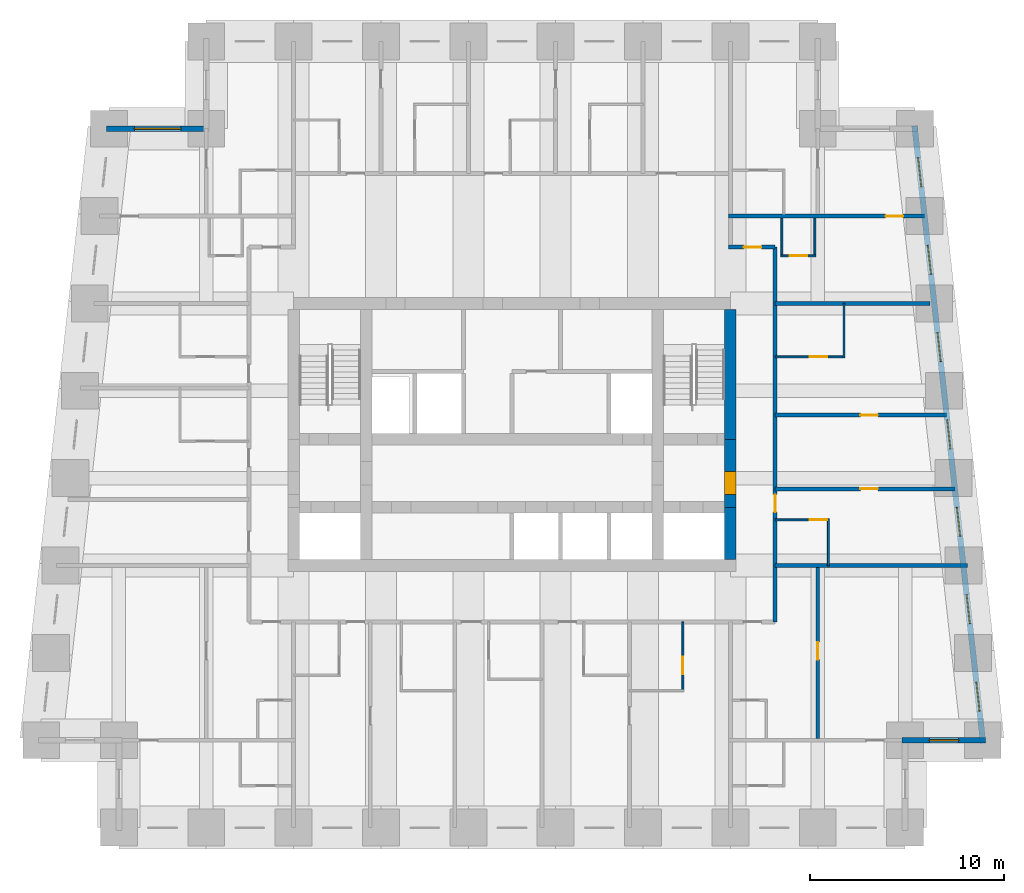
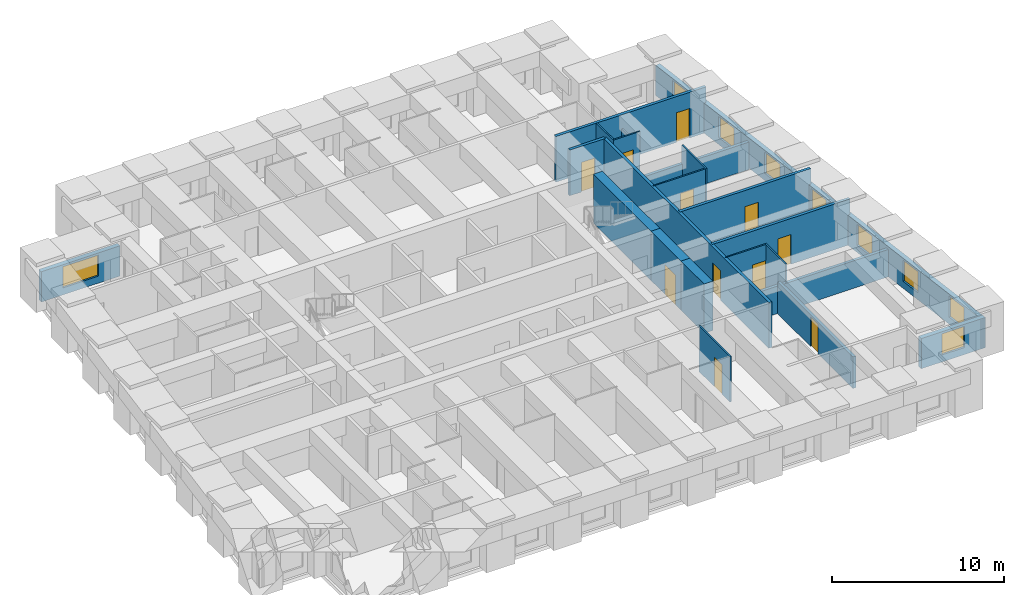
# One storey, part 5 of 8: 22 walls, 11 doors, 9 windows, 20 openings.
"""IFC4 building model written with IfcOpenShell, lengths in metres."""

from ifc_helpers import new_model, si_unit, direction, frame, frame_2d, origin, place, context, subcontext, project, spatial, rectangle, extrude, material, layer, layer_set, type_object, element, fill, save


model = new_model("IFC4")

# Units and contexts
model_context = context("Model", 3, precision=1e-05, world=origin(), true_north=direction((0.0, 1.0)))
body_context = subcontext(model_context, "Body", "Model", "MODEL_VIEW")
ifc_project = project(units=[si_unit("LENGTHUNIT", "METRE"), si_unit("AREAUNIT", "SQUARE_METRE"), si_unit("VOLUMEUNIT", "CUBIC_METRE"), si_unit("PLANEANGLEUNIT", "RADIAN"), si_unit("MASSUNIT", "GRAM", prefix="KILO")], contexts=[model_context])

# Site, building, storey
site_placement = place(None, origin())
site = spatial("IfcSite", under=ifc_project, at=site_placement, CompositionType="ELEMENT")
building_placement = place(site_placement, origin())
building = spatial("IfcBuilding", under=site, at=building_placement, Name="Kilele Tower Hotel", CompositionType="ELEMENT")
storey_placement = place(building_placement, frame((0.0, 0.0, 135.39990234375)))
storey = spatial("IfcBuildingStorey", under=building, at=storey_placement, Name="L35", CompositionType="ELEMENT", Elevation=135.39990234375)

# Wall, opening, door
ifc_material_1 = material(Name="Moisture-resistant board")
ifc_layer_1 = layer(ifc_material_1, 0.10009765625)
ifc_layer_set_1 = layer_set([ifc_layer_1], Name="Moisture-resistant board")
wall_type_1 = type_object("IfcWallType", Name="Bathroom partition 100", PredefinedType="PLUMBINGWALL", material=ifc_layer_set_1)
wall_1_placement = place(storey_placement, frame((33.550048828125, 10.60009765625, 0.0), z_axis=(0.0, 0.0, 1.0), x_axis=(0.0, -1.0, 0.0)))
wall_1 = element("IfcWall", 1, at=wall_1_placement, inside=storey, type_object=wall_type_1, Name="Bathroom partition 100 L35", PredefinedType="PLUMBINGWALL", context=body_context, shape_type="SweptSolid", body=[
    extrude(rectangle(XDim=3.60009765625, YDim=0.10009765625, at=frame_2d((1.800048828125, 0.0))), origin(), (0.0, 0.0, 1.0), 3.25),
])
opening_1_placement = place(wall_1_placement, frame((1.800048828125, 0.0, 0.0)))
opening_1 = element("IfcOpeningElement", 2, at=opening_1_placement, cuts=wall_1, Name="Opening D2A", PredefinedType="OPENING", context=body_context, shape_type="SweptSolid", body=[
    extrude(rectangle(XDim=0.89990234375, YDim=2.10009765625, at=frame_2d((0.449951171875, 1.050048828125))), frame((0.0, 0.06005859375, 0.0), z_axis=(0.0, -1.0, 0.0), x_axis=(1.0, 0.0, 0.0)), (0.0, 0.0, 1.0), 0.1201171875),
])
ifc_material_2 = material(Name="Timber door leaf in hardwood frame", Category="wood")
door_type_1 = type_object("IfcDoorType", Name="Bathroom door 900", OperationType="SINGLE_SWING_LEFT", PredefinedType="DOOR", material=ifc_material_2)
door_1_placement = place(opening_1_placement, origin())
door_1 = element("IfcDoor", 3, at=door_1_placement, inside=storey, type_object=door_type_1, Name="Bathroom door 3505B", OperationType="SINGLE_SWING_RIGHT", OverallHeight=2.10009765625, OverallWidth=0.89990234375, PredefinedType="DOOR", context=body_context, shape_type="SweptSolid", body=[
    extrude(rectangle(XDim=0.89990234375, YDim=2.10009765625, at=frame_2d((0.449951171875, 1.050048828125))), frame((0.0, 0.02490234375, 0.0), z_axis=(0.0, -1.0, 0.0), x_axis=(1.0, 0.0, 0.0)), (0.0, 0.0, 1.0), 0.050048828125),
])
fill(opening_1, door_1)

# Wall
wall_2_placement = place(storey_placement, frame((41.050048828125, 13.5, 0.0), z_axis=(0.0, 0.0, 1.0), x_axis=(0.0, 1.0, 0.0)))
element("IfcWall", 4, at=wall_2_placement, inside=storey, type_object=wall_type_1, Name="Bathroom partition 100 L35", PredefinedType="PLUMBINGWALL", context=body_context, shape_type="SweptSolid", body=[
    extrude(rectangle(XDim=2.39990234375, YDim=0.10009765625, at=frame_2d((1.199951171875, 0.0))), origin(), (0.0, 0.0, 1.0), 3.25),
])

# Wall, opening, door
wall_3_placement = place(storey_placement, frame((38.300048828125, 15.85009765625, 0.0), z_axis=(0.0, 0.0, 1.0), x_axis=(1.0, 0.0, 0.0)))
wall_3 = element("IfcWall", 5, at=wall_3_placement, inside=storey, type_object=wall_type_1, Name="Bathroom partition 100 L35", PredefinedType="PLUMBINGWALL", context=body_context, shape_type="SweptSolid", body=[
    extrude(rectangle(XDim=2.800048828125, YDim=0.10009765625, at=frame_2d((1.39990234375, 0.0))), origin(), (0.0, 0.0, 1.0), 3.25),
])
opening_2_placement = place(wall_3_placement, frame((1.800048828125, 0.0, 0.0)))
opening_2 = element("IfcOpeningElement", 6, at=opening_2_placement, cuts=wall_3, Name="Opening D2A", PredefinedType="OPENING", context=body_context, shape_type="SweptSolid", body=[
    extrude(rectangle(XDim=0.89990234375, YDim=2.10009765625, at=frame_2d((0.449951171875, 1.050048828125))), frame((0.0, 0.06005859375, 0.0), z_axis=(0.0, -1.0, 0.0), x_axis=(1.0, 0.0, 0.0)), (0.0, 0.0, 1.0), 0.1201171875),
])
door_2_placement = place(opening_2_placement, origin())
door_2 = element("IfcDoor", 7, at=door_2_placement, inside=storey, type_object=door_type_1, Name="Bathroom door 3506B", OperationType="SINGLE_SWING_RIGHT", OverallHeight=2.10009765625, OverallWidth=0.89990234375, PredefinedType="DOOR", context=body_context, shape_type="SweptSolid", body=[
    extrude(rectangle(XDim=0.89990234375, YDim=2.10009765625, at=frame_2d((0.449951171875, 1.050048828125))), frame((0.0, 0.02490234375, 0.0), z_axis=(0.0, -1.0, 0.0), x_axis=(1.0, 0.0, 0.0)), (0.0, 0.0, 1.0), 0.050048828125),
])
fill(opening_2, door_2)

# Wall
wall_4_placement = place(storey_placement, frame((41.85009765625, 24.199951171875, 0.0), z_axis=(0.0, 0.0, 1.0), x_axis=(0.0, 1.0, 0.0)))
element("IfcWall", 8, at=wall_4_placement, inside=storey, type_object=wall_type_1, Name="Bathroom partition 100 L35", PredefinedType="PLUMBINGWALL", context=body_context, shape_type="SweptSolid", body=[
    extrude(rectangle(XDim=2.800048828125, YDim=0.10009765625, at=frame_2d((1.39990234375, 0.0))), origin(), (0.0, 0.0, 1.0), 3.25),
])

# Wall, opening, door
wall_5_placement = place(storey_placement, frame((38.300048828125, 24.25, 0.0), z_axis=(0.0, 0.0, 1.0), x_axis=(1.0, 0.0, 0.0)))
wall_5 = element("IfcWall", 9, at=wall_5_placement, inside=storey, type_object=wall_type_1, Name="Bathroom partition 100 L35", PredefinedType="PLUMBINGWALL", context=body_context, shape_type="SweptSolid", body=[
    extrude(rectangle(XDim=3.599853515625, YDim=0.10009765625, at=frame_2d((1.7998046875, 0.0))), origin(), (0.0, 0.0, 1.0), 3.25),
])
opening_3_placement = place(wall_5_placement, frame((2.699951171875, 0.0, 0.0), z_axis=(0.0, 0.0, 1.0), x_axis=(-1.0, 0.0, 0.0)))
opening_3 = element("IfcOpeningElement", 10, at=opening_3_placement, cuts=wall_5, Name="Opening D2A", PredefinedType="OPENING", context=body_context, shape_type="SweptSolid", body=[
    extrude(rectangle(XDim=0.89990234375, YDim=2.10009765625, at=frame_2d((0.449951171875, 1.050048828125))), frame((0.0, 0.06005859375, 0.0), z_axis=(0.0, -1.0, 0.0), x_axis=(1.0, 0.0, 0.0)), (0.0, 0.0, 1.0), 0.1201171875),
])
door_3_placement = place(opening_3_placement, origin())
door_3 = element("IfcDoor", 11, at=door_3_placement, inside=storey, type_object=door_type_1, Name="Bathroom door 3508B", OperationType="SINGLE_SWING_LEFT", OverallHeight=2.10009765625, OverallWidth=0.89990234375, PredefinedType="DOOR", context=body_context, shape_type="SweptSolid", body=[
    extrude(rectangle(XDim=0.89990234375, YDim=2.10009765625, at=frame_2d((0.449951171875, 1.050048828125))), frame((0.0, 0.02490234375, 0.0), z_axis=(0.0, -1.0, 0.0), x_axis=(1.0, 0.0, 0.0)), (0.0, 0.0, 1.0), 0.050048828125),
])
fill(opening_3, door_3)

# Walls
wall_6_placement = place(storey_placement, frame((40.35009765625, 31.39990234375, 0.0), z_axis=(0.0, 0.0, 1.0), x_axis=(0.0, -1.0, 0.0)))
element("IfcWall", 12, at=wall_6_placement, inside=storey, type_object=wall_type_1, Name="Bathroom partition 100 L35", PredefinedType="PLUMBINGWALL", context=body_context, shape_type="SweptSolid", body=[
    extrude(rectangle(XDim=2.0, YDim=0.10009765625, at=frame_2d((1.0, 0.0))), origin(), (0.0, 0.0, 1.0), 2.25),
])
wall_7_placement = place(storey_placement, frame((38.64990234375, 31.39990234375, 0.0), z_axis=(0.0, 0.0, 1.0), x_axis=(0.0, -1.0, 0.0)))
element("IfcWall", 13, at=wall_7_placement, inside=storey, type_object=wall_type_1, Name="Bathroom partition 100 L35", PredefinedType="PLUMBINGWALL", context=body_context, shape_type="SweptSolid", body=[
    extrude(rectangle(XDim=2.0, YDim=0.10009765625, at=frame_2d((1.0, 0.0))), origin(), (0.0, 0.0, 1.0), 3.25),
])

# Wall, opening, door
wall_8_placement = place(storey_placement, frame((38.60009765625, 29.449951171875, 0.0), z_axis=(0.0, 0.0, 1.0), x_axis=(1.0, 0.0, 0.0)))
wall_8 = element("IfcWall", 14, at=wall_8_placement, inside=storey, type_object=wall_type_1, Name="Bathroom partition 100 L35", PredefinedType="PLUMBINGWALL", context=body_context, shape_type="SweptSolid", body=[
    extrude(rectangle(XDim=1.7998046875, YDim=0.10009765625, at=frame_2d((0.89990234375, 0.0))), origin(), (0.0, 0.0, 1.0), 3.25),
])
opening_4_placement = place(wall_8_placement, frame((1.349853515625, 0.0, 0.0), z_axis=(0.0, 0.0, 1.0), x_axis=(-1.0, 0.0, 0.0)))
opening_4 = element("IfcOpeningElement", 15, at=opening_4_placement, cuts=wall_8, Name="Opening D2A", PredefinedType="OPENING", context=body_context, shape_type="SweptSolid", body=[
    extrude(rectangle(XDim=0.89990234375, YDim=2.10009765625, at=frame_2d((0.449951171875, 1.050048828125))), frame((0.0, 0.06005859375, 0.0), z_axis=(0.0, -1.0, 0.0), x_axis=(1.0, 0.0, 0.0)), (0.0, 0.0, 1.0), 0.1201171875),
])
door_4_placement = place(opening_4_placement, origin())
door_4 = element("IfcDoor", 16, at=door_4_placement, inside=storey, type_object=door_type_1, Name="Bathroom door 3523P", OperationType="SINGLE_SWING_RIGHT", OverallHeight=2.10009765625, OverallWidth=0.89990234375, PredefinedType="DOOR", context=body_context, shape_type="SweptSolid", body=[
    extrude(rectangle(XDim=0.89990234375, YDim=2.10009765625, at=frame_2d((0.449951171875, 1.050048828125))), frame((0.0, 0.02490234375, 0.0), z_axis=(0.0, -1.0, 0.0), x_axis=(1.0, 0.0, 0.0)), (0.0, 0.0, 1.0), 0.050048828125),
])
fill(opening_4, door_4)

# Wall
ifc_material_3 = material(Name="Concrete C60/75", Category="concrete")
ifc_layer_2 = layer(ifc_material_3, 0.60009765625)
ifc_layer_set_2 = layer_set([ifc_layer_2], Name="Concrete C60/75")
wall_type_2 = type_object("IfcWallType", Name="Core wall 600 C60/75", PredefinedType="SHEAR", material=ifc_layer_set_2)
wall_9_placement = place(storey_placement, frame((36.0, 13.800048828125, 0.0), z_axis=(0.0, 0.0, 1.0), x_axis=(0.0, 1.0, 0.0)))
element("IfcWall", 17, at=wall_9_placement, inside=storey, type_object=wall_type_2, Name="Core wall E1 L35", PredefinedType="SHEAR", context=body_context, shape_type="SweptSolid", body=[
    extrude(rectangle(XDim=2.699951171875, YDim=0.60009765625, at=frame_2d((1.35009765625, 0.0))), origin(), (0.0, 0.0, 1.0), 3.5),
])

# Wall, opening, door
wall_10_placement = place(storey_placement, frame((36.0, 16.5, 0.0), z_axis=(0.0, 0.0, 1.0), x_axis=(0.0, 1.0, 0.0)))
wall_10 = element("IfcWall", 18, at=wall_10_placement, inside=storey, type_object=wall_type_2, Name="Core wall E2 L35", PredefinedType="SHEAR", context=body_context, shape_type="SweptSolid", body=[
    extrude(rectangle(XDim=3.5, YDim=0.60009765625, at=frame_2d((1.75, 0.0))), origin(), (0.0, 0.0, 1.0), 3.5),
])
opening_5_placement = place(wall_10_placement, frame((0.64990234375, 0.0, 0.0)))
opening_5 = element("IfcOpeningElement", 19, at=opening_5_placement, cuts=wall_10, Name="Opening D4", PredefinedType="OPENING", context=body_context, shape_type="SweptSolid", body=[
    extrude(rectangle(XDim=1.199951171875, YDim=2.10009765625, at=frame_2d((0.60009765625, 1.050048828125))), frame((0.0, 0.31005859375, 0.0), z_axis=(0.0, -1.0, 0.0), x_axis=(1.0, 0.0, 0.0)), (0.0, 0.0, 1.0), 0.6201171875),
])
ifc_material_4 = material(Name="Timber door leaf in hardwood frame", Category="wood")
door_type_2 = type_object("IfcDoorType", Name="Firefighting lobby door 1200", OperationType="SINGLE_SWING_LEFT", PredefinedType="DOOR", material=ifc_material_4)
door_5_placement = place(opening_5_placement, origin())
door_5 = element("IfcDoor", 20, at=door_5_placement, inside=storey, type_object=door_type_2, Name="Lobby door L35", OperationType="SINGLE_SWING_LEFT", OverallHeight=2.10009765625, OverallWidth=1.199951171875, PredefinedType="DOOR", context=body_context, shape_type="SweptSolid", body=[
    extrude(rectangle(XDim=1.199951171875, YDim=2.10009765625, at=frame_2d((0.60009765625, 1.050048828125))), frame((0.0, 0.2998046875, 0.0), z_axis=(0.0, -1.0, 0.0), x_axis=(1.0, 0.0, 0.0)), (0.0, 0.0, 1.0), 0.599609375),
])
fill(opening_5, door_5)

# Wall
wall_11_placement = place(storey_placement, frame((36.0, 20.0, 0.0), z_axis=(0.0, 0.0, 1.0), x_axis=(0.0, 1.0, 0.0)))
element("IfcWall", 21, at=wall_11_placement, inside=storey, type_object=wall_type_2, Name="Core wall E3 L35", PredefinedType="SHEAR", context=body_context, shape_type="SweptSolid", body=[
    extrude(rectangle(XDim=6.699951171875, YDim=0.60009765625, at=frame_2d((3.35009765625, 0.0))), origin(), (0.0, 0.0, 1.0), 3.5),
])

# Wall, opening, door
ifc_material_5 = material(Name="Blockwork, plastered both sides", Category="masonry")
ifc_layer_3 = layer(ifc_material_5, 0.199951171875)
ifc_layer_set_3 = layer_set([ifc_layer_3], Name="Blockwork, plastered both sides")
wall_type_3 = type_object("IfcWallType", Name="Corridor wall 200", PredefinedType="PARTITIONING", material=ifc_layer_set_3)
wall_12_placement = place(storey_placement, frame((35.89990234375, 29.89990234375, 0.0), z_axis=(0.0, 0.0, 1.0), x_axis=(1.0, 0.0, 0.0)))
wall_12 = element("IfcWall", 22, at=wall_12_placement, inside=storey, type_object=wall_type_3, Name="Corridor wall 200 L35", PredefinedType="PARTITIONING", context=body_context, shape_type="SweptSolid", body=[
    extrude(rectangle(XDim=2.400146484375, YDim=0.199951171875, at=frame_2d((1.2001953125, 0.0))), origin(), (0.0, 0.0, 1.0), 3.25),
])
opening_6_placement = place(wall_12_placement, frame((0.800048828125, 0.0, 0.0)))
opening_6 = element("IfcOpeningElement", 23, at=opening_6_placement, cuts=wall_12, Name="Opening D1", PredefinedType="OPENING", context=body_context, shape_type="SweptSolid", body=[
    extrude(rectangle(XDim=0.89990234375, YDim=2.10009765625, at=frame_2d((0.449951171875, 1.050048828125))), frame((0.0, 0.10986328125, 0.0), z_axis=(0.0, -1.0, 0.0), x_axis=(1.0, 0.0, 0.0)), (0.0, 0.0, 1.0), 0.219970703125),
])
ifc_material_6 = material(Name="Timber door leaf in hardwood frame", Category="wood")
door_type_3 = type_object("IfcDoorType", Name="Guest room entrance door 900", OperationType="SINGLE_SWING_LEFT", PredefinedType="DOOR", material=ifc_material_6)
door_6_placement = place(opening_6_placement, origin())
door_6 = element("IfcDoor", 24, at=door_6_placement, inside=storey, type_object=door_type_3, Name="Room entrance 3523", OperationType="SINGLE_SWING_LEFT", OverallHeight=2.10009765625, OverallWidth=0.89990234375, PredefinedType="DOOR", context=body_context, shape_type="SweptSolid", body=[
    extrude(rectangle(XDim=0.89990234375, YDim=2.10009765625, at=frame_2d((0.449951171875, 1.050048828125))), frame((0.0, 0.02490234375, 0.0), z_axis=(0.0, -1.0, 0.0), x_axis=(1.0, 0.0, 0.0)), (0.0, 0.0, 1.0), 0.050048828125),
])
fill(opening_6, door_6)

wall_13_placement = place(storey_placement, frame((38.300048828125, 10.60009765625, 0.0), z_axis=(0.0, 0.0, 1.0), x_axis=(0.0, 1.0, 0.0)))
wall_13 = element("IfcWall", 25, at=wall_13_placement, inside=storey, type_object=wall_type_3, Name="Corridor wall 200 L35", PredefinedType="PARTITIONING", context=body_context, shape_type="SweptSolid", body=[
    extrude(rectangle(XDim=19.2998046875, YDim=0.199951171875, at=frame_2d((9.64990234375, 0.0))), origin(), (0.0, 0.0, 1.0), 3.25),
])
opening_7_placement = place(wall_13_placement, frame((6.5498046875, 0.0, 0.0), z_axis=(0.0, 0.0, 1.0), x_axis=(-1.0, 0.0, 0.0)))
opening_7 = element("IfcOpeningElement", 26, at=opening_7_placement, cuts=wall_13, Name="Opening D1", PredefinedType="OPENING", context=body_context, shape_type="SweptSolid", body=[
    extrude(rectangle(XDim=0.89990234375, YDim=2.10009765625, at=frame_2d((0.449951171875, 1.050048828125))), frame((0.0, 0.10986328125, 0.0), z_axis=(0.0, -1.0, 0.0), x_axis=(1.0, 0.0, 0.0)), (0.0, 0.0, 1.0), 0.219970703125),
])
door_7_placement = place(opening_7_placement, origin())
door_7 = element("IfcDoor", 27, at=door_7_placement, inside=storey, type_object=door_type_3, Name="Room entrance 3506", OperationType="SINGLE_SWING_LEFT", OverallHeight=2.10009765625, OverallWidth=0.89990234375, PredefinedType="DOOR", context=body_context, shape_type="SweptSolid", body=[
    extrude(rectangle(XDim=0.89990234375, YDim=2.10009765625, at=frame_2d((0.449951171875, 1.050048828125))), frame((0.0, 0.02490234375, 0.0), z_axis=(0.0, -1.0, 0.0), x_axis=(1.0, 0.0, 0.0)), (0.0, 0.0, 1.0), 0.050048828125),
])
fill(opening_7, door_7)

ifc_material_7 = material(Name="Blockwork, plastered both sides", Category="masonry")
ifc_layer_4 = layer(ifc_material_7, 0.199951171875)
ifc_layer_set_4 = layer_set([ifc_layer_4], Name="Blockwork, plastered both sides")
wall_type_4 = type_object("IfcWallType", Name="Partition wall 200", PredefinedType="PARTITIONING", material=ifc_layer_set_4)
wall_14_placement = place(storey_placement, frame((40.5, 4.60009765625, 0.0), z_axis=(0.0, 0.0, 1.0), x_axis=(0.0, 1.0, 0.0)))
wall_14 = element("IfcWall", 28, at=wall_14_placement, inside=storey, type_object=wall_type_4, Name="Partition wall 200 L35", PredefinedType="PARTITIONING", context=body_context, shape_type="SweptSolid", body=[
    extrude(rectangle(XDim=8.7998046875, YDim=0.199951171875, at=frame_2d((4.39990234375, 0.0))), origin(), (0.0, 0.0, 1.0), 2.25),
])
opening_8_placement = place(wall_14_placement, frame((4.050048828125, 0.0, 0.0)))
opening_8 = element("IfcOpeningElement", 29, at=opening_8_placement, cuts=wall_14, Name="Opening D3", PredefinedType="OPENING", context=body_context, shape_type="SweptSolid", body=[
    extrude(rectangle(XDim=0.89990234375, YDim=2.10009765625, at=frame_2d((0.449951171875, 1.050048828125))), frame((0.0, 0.10986328125, 0.0), z_axis=(0.0, -1.0, 0.0), x_axis=(1.0, 0.0, 0.0)), (0.0, 0.0, 1.0), 0.219970703125),
])
ifc_material_8 = material(Name="Timber door leaf in hardwood frame", Category="wood")
door_type_4 = type_object("IfcDoorType", Name="Suite internal door 900", OperationType="SINGLE_SWING_LEFT", PredefinedType="DOOR", material=ifc_material_8)
door_8_placement = place(opening_8_placement, origin())
door_8 = element("IfcDoor", 30, at=door_8_placement, inside=storey, type_object=door_type_4, Name="Suite door 3521", OperationType="SINGLE_SWING_RIGHT", OverallHeight=2.10009765625, OverallWidth=0.89990234375, PredefinedType="DOOR", context=body_context, shape_type="SweptSolid", body=[
    extrude(rectangle(XDim=0.89990234375, YDim=2.10009765625, at=frame_2d((0.449951171875, 1.050048828125))), frame((0.0, 0.02490234375, 0.0), z_axis=(0.0, -1.0, 0.0), x_axis=(1.0, 0.0, 0.0)), (0.0, 0.0, 1.0), 0.050048828125),
])
fill(opening_8, door_8)

ifc_material_9 = material(Name="Blockwork, plastered both sides", Category="masonry")
ifc_layer_5 = layer(ifc_material_9, 0.199951171875)
ifc_layer_set_5 = layer_set([ifc_layer_5], Name="Blockwork, plastered both sides")
wall_type_5 = type_object("IfcWallType", Name="Party wall 200", PredefinedType="PARTITIONING", material=ifc_layer_set_5)
wall_15_placement = place(storey_placement, frame((38.300048828125, 17.449951171875, 0.0), z_axis=(0.0, 0.0, 1.0), x_axis=(1.0, 0.0, 0.0)))
wall_15 = element("IfcWall", 31, at=wall_15_placement, inside=storey, type_object=wall_type_5, Name="Party wall 200 L35", PredefinedType="PARTITIONING", context=body_context, shape_type="SweptSolid", body=[
    extrude(rectangle(XDim=9.26025390625, YDim=0.199951171875, at=frame_2d((4.630126953125, 0.0))), origin(), (0.0, 0.0, 1.0), 3.25),
])
opening_9_placement = place(wall_15_placement, frame((4.39990234375, 0.0, 0.0)))
opening_9 = element("IfcOpeningElement", 32, at=opening_9_placement, cuts=wall_15, Name="Opening D3", PredefinedType="OPENING", context=body_context, shape_type="SweptSolid", body=[
    extrude(rectangle(XDim=0.89990234375, YDim=2.10009765625, at=frame_2d((0.449951171875, 1.050048828125))), frame((0.0, 0.10986328125, 0.0), z_axis=(0.0, -1.0, 0.0), x_axis=(1.0, 0.0, 0.0)), (0.0, 0.0, 1.0), 0.219970703125),
])
door_9_placement = place(opening_9_placement, origin())
door_9 = element("IfcDoor", 33, at=door_9_placement, inside=storey, type_object=door_type_4, Name="Suite door 3507", OperationType="SINGLE_SWING_RIGHT", OverallHeight=2.10009765625, OverallWidth=0.89990234375, PredefinedType="DOOR", context=body_context, shape_type="SweptSolid", body=[
    extrude(rectangle(XDim=0.89990234375, YDim=2.10009765625, at=frame_2d((0.449951171875, 1.050048828125))), frame((0.0, 0.02490234375, 0.0), z_axis=(0.0, -1.0, 0.0), x_axis=(1.0, 0.0, 0.0)), (0.0, 0.0, 1.0), 0.050048828125),
])
fill(opening_9, door_9)

wall_16_placement = place(storey_placement, frame((38.300048828125, 21.25, 0.0), z_axis=(0.0, 0.0, 1.0), x_axis=(1.0, 0.0, 0.0)))
wall_16 = element("IfcWall", 34, at=wall_16_placement, inside=storey, type_object=wall_type_5, Name="Party wall 200 L35", PredefinedType="PARTITIONING", context=body_context, shape_type="SweptSolid", body=[
    extrude(rectangle(XDim=8.837890625, YDim=0.199951171875, at=frame_2d((4.4189453125, 0.0))), origin(), (0.0, 0.0, 1.0), 3.25),
])
opening_10_placement = place(wall_16_placement, frame((4.39990234375, 0.0, 0.0)))
opening_10 = element("IfcOpeningElement", 35, at=opening_10_placement, cuts=wall_16, Name="Opening D3", PredefinedType="OPENING", context=body_context, shape_type="SweptSolid", body=[
    extrude(rectangle(XDim=0.89990234375, YDim=2.10009765625, at=frame_2d((0.449951171875, 1.050048828125))), frame((0.0, 0.10986328125, 0.0), z_axis=(0.0, -1.0, 0.0), x_axis=(1.0, 0.0, 0.0)), (0.0, 0.0, 1.0), 0.219970703125),
])
door_10_placement = place(opening_10_placement, origin())
door_10 = element("IfcDoor", 36, at=door_10_placement, inside=storey, type_object=door_type_4, Name="Suite door 3508", OperationType="SINGLE_SWING_RIGHT", OverallHeight=2.10009765625, OverallWidth=0.89990234375, PredefinedType="DOOR", context=body_context, shape_type="SweptSolid", body=[
    extrude(rectangle(XDim=0.89990234375, YDim=2.10009765625, at=frame_2d((0.449951171875, 1.050048828125))), frame((0.0, 0.02490234375, 0.0), z_axis=(0.0, -1.0, 0.0), x_axis=(1.0, 0.0, 0.0)), (0.0, 0.0, 1.0), 0.050048828125),
])
fill(opening_10, door_10)

# Walls
wall_17_placement = place(storey_placement, frame((38.300048828125, 13.5, 0.0), z_axis=(0.0, 0.0, 1.0), x_axis=(1.0, 0.0, 0.0)))
element("IfcWall", 37, at=wall_17_placement, inside=storey, type_object=wall_type_5, Name="Party wall 200 L35", PredefinedType="PARTITIONING", context=body_context, shape_type="SweptSolid", body=[
    extrude(rectangle(XDim=9.921142578125, YDim=0.199951171875, at=frame_2d((4.96044921875, 0.0))), origin(), (0.0, 0.0, 1.0), 1.9501953125),
])
wall_18_placement = place(storey_placement, frame((38.300048828125, 27.0, 0.0), z_axis=(0.0, 0.0, 1.0), x_axis=(1.0, 0.0, 0.0)))
element("IfcWall", 38, at=wall_18_placement, inside=storey, type_object=wall_type_5, Name="Party wall 200 L35", PredefinedType="PARTITIONING", context=body_context, shape_type="SweptSolid", body=[
    extrude(rectangle(XDim=7.976806640625, YDim=0.199951171875, at=frame_2d((3.98828125, 0.0))), origin(), (0.0, 0.0, 1.0), 1.9501953125),
])

# Wall, opening, door
wall_19_placement = place(storey_placement, frame((35.89990234375, 31.5, 0.0), z_axis=(0.0, 0.0, 1.0), x_axis=(1.0, 0.0, 0.0)))
wall_19 = element("IfcWall", 39, at=wall_19_placement, inside=storey, type_object=wall_type_5, Name="Party wall 200 L35", PredefinedType="PARTITIONING", context=body_context, shape_type="SweptSolid", body=[
    extrude(rectangle(XDim=10.09912109375, YDim=0.199951171875, at=frame_2d((5.049560546875, 0.0))), origin(), (0.0, 0.0, 1.0), 3.25),
])
opening_11_placement = place(wall_19_placement, frame((8.09912109375, 0.0, 0.0)))
opening_11 = element("IfcOpeningElement", 40, at=opening_11_placement, cuts=wall_19, Name="Opening D3", PredefinedType="OPENING", context=body_context, shape_type="SweptSolid", body=[
    extrude(rectangle(XDim=0.89990234375, YDim=2.10009765625, at=frame_2d((0.449951171875, 1.050048828125))), frame((0.0, 0.10986328125, 0.0), z_axis=(0.0, -1.0, 0.0), x_axis=(1.0, 0.0, 0.0)), (0.0, 0.0, 1.0), 0.219970703125),
])
door_11_placement = place(opening_11_placement, origin())
door_11 = element("IfcDoor", 41, at=door_11_placement, inside=storey, type_object=door_type_4, Name="Suite door 3524", OperationType="SINGLE_SWING_RIGHT", OverallHeight=2.10009765625, OverallWidth=0.89990234375, PredefinedType="DOOR", context=body_context, shape_type="SweptSolid", body=[
    extrude(rectangle(XDim=0.89990234375, YDim=2.10009765625, at=frame_2d((0.449951171875, 1.050048828125))), frame((0.0, 0.02490234375, 0.0), z_axis=(0.0, -1.0, 0.0), x_axis=(1.0, 0.0, 0.0)), (0.0, 0.0, 1.0), 0.050048828125),
])
fill(opening_11, door_11)

# Wall, opening, window
ifc_material_10 = material(Name="Concrete C40/50 precast", Category="concrete")
ifc_layer_6 = layer(ifc_material_10, 0.260009765625, Name="Precast backing", Category="LoadBearing")
ifc_material_11 = material(Name="Reconstituted stone finish", Category="masonry")
ifc_layer_7 = layer(ifc_material_11, 0.0400390625, Name="Face mix", Category="Finish")
ifc_layer_set_6 = layer_set([ifc_layer_6, ifc_layer_7], Name="Precast concrete C40/50, reconstituted stone finish")
wall_type_6 = type_object("IfcWallType", Name="Precast stone facade wall 300", PredefinedType="STANDARD", material=ifc_layer_set_6)
wall_20_placement = place(storey_placement, frame((44.85009765625, 4.5, 0.0), z_axis=(0.0, 0.0, 1.0), x_axis=(1.0, 0.0, 0.0)))
wall_20 = element("IfcWall", 42, at=wall_20_placement, inside=storey, type_object=wall_type_6, Name="Facade wall L35 edge 5", PredefinedType="STANDARD", context=body_context, shape_type="SweptSolid", body=[
    extrude(rectangle(XDim=4.2998046875, YDim=0.300048828125, at=frame_2d((2.14990234375, 0.0))), origin(), (0.0, 0.0, 1.0), 2.150146484375),
])
opening_12_placement = place(wall_20_placement, frame((1.39990234375, 0.0, 0.5)))
opening_12 = element("IfcOpeningElement", 43, at=opening_12_placement, cuts=wall_20, Name="Opening W2", PredefinedType="OPENING", context=body_context, shape_type="SweptSolid", body=[
    extrude(rectangle(XDim=1.5, YDim=1.5, at=frame_2d((0.75, 0.75))), frame((0.0, 0.159912109375, 0.0), z_axis=(0.0, -1.0, 0.0), x_axis=(1.0, 0.0, 0.0)), (0.0, 0.0, 1.0), 0.320068359375),
])
ifc_material_12 = material(Name="Aluminium frame, clear double glazing", Category="aluminium")
window_type_1 = type_object("IfcWindowType", Name="Window W2 1500 x 1500", PartitioningType="SINGLE_PANEL", PredefinedType="WINDOW", material=ifc_material_12)
window_1_placement = place(opening_12_placement, origin())
window_1 = element("IfcWindow", 44, at=window_1_placement, inside=storey, type_object=window_type_1, Name="Window L35", OverallHeight=1.5, OverallWidth=1.5, PartitioningType="SINGLE_PANEL", PredefinedType="WINDOW", context=body_context, shape_type="SweptSolid", body=[
    extrude(rectangle(XDim=1.5, YDim=1.5, at=frame_2d((0.75, 0.75))), frame((0.0, 0.030029296875, 0.0), z_axis=(0.0, -1.0, 0.0), x_axis=(1.0, 0.0, 0.0)), (0.0, 0.0, 1.0), 0.06005859375),
])
fill(opening_12, window_1)

# Wall, openings, windows
wall_21_placement = place(storey_placement, frame((49.0166015625, 4.350830078125, 0.0), z_axis=(0.0, 0.0, 1.0), x_axis=(-0.110433201132, 0.993883548555, 0.0)))
wall_21 = element("IfcWall", 45, at=wall_21_placement, inside=storey, type_object=wall_type_6, Name="Facade wall L35 edge 6", PredefinedType="STANDARD", context=body_context, shape_type="SweptSolid", body=[
    extrude(rectangle(XDim=31.994140625, YDim=0.300048828125, at=frame_2d((15.9970703125, 0.0))), origin(), (0.0, 0.0, 1.0), 2.150146484375),
])
opening_13_placement = place(wall_21_placement, frame((1.6640625, 0.0, 0.5)))
opening_13 = element("IfcOpeningElement", 46, at=opening_13_placement, cuts=wall_21, Name="Opening W2", PredefinedType="OPENING", context=body_context, shape_type="SweptSolid", body=[
    extrude(rectangle(XDim=1.5, YDim=1.5, at=frame_2d((0.75, 0.75))), frame((0.0, 0.159912109375, 0.0), z_axis=(0.0, -1.0, 0.0), x_axis=(1.0, 0.0, 0.0)), (0.0, 0.0, 1.0), 0.320068359375),
])
opening_14_placement = place(wall_21_placement, frame((6.19189453125, 0.0, 0.5)))
opening_14 = element("IfcOpeningElement", 47, at=opening_14_placement, cuts=wall_21, Name="Opening W2", PredefinedType="OPENING", context=body_context, shape_type="SweptSolid", body=[
    extrude(rectangle(XDim=1.5, YDim=1.5, at=frame_2d((0.75, 0.75))), frame((0.0, 0.159912109375, 0.0), z_axis=(0.0, -1.0, 0.0), x_axis=(1.0, 0.0, 0.0)), (0.0, 0.0, 1.0), 0.320068359375),
])
opening_15_placement = place(wall_21_placement, frame((10.718994140625, 0.0, 0.5)))
opening_15 = element("IfcOpeningElement", 48, at=opening_15_placement, cuts=wall_21, Name="Opening W2", PredefinedType="OPENING", context=body_context, shape_type="SweptSolid", body=[
    extrude(rectangle(XDim=1.5, YDim=1.5, at=frame_2d((0.75, 0.75))), frame((0.0, 0.159912109375, 0.0), z_axis=(0.0, -1.0, 0.0), x_axis=(1.0, 0.0, 0.0)), (0.0, 0.0, 1.0), 0.320068359375),
])
opening_16_placement = place(wall_21_placement, frame((15.2470703125, 0.0, 0.5)))
opening_16 = element("IfcOpeningElement", 49, at=opening_16_placement, cuts=wall_21, Name="Opening W2", PredefinedType="OPENING", context=body_context, shape_type="SweptSolid", body=[
    extrude(rectangle(XDim=1.5, YDim=1.5, at=frame_2d((0.75, 0.75))), frame((0.0, 0.159912109375, 0.0), z_axis=(0.0, -1.0, 0.0), x_axis=(1.0, 0.0, 0.0)), (0.0, 0.0, 1.0), 0.320068359375),
])
opening_17_placement = place(wall_21_placement, frame((19.77490234375, 0.0, 0.5)))
opening_17 = element("IfcOpeningElement", 50, at=opening_17_placement, cuts=wall_21, Name="Opening W2", PredefinedType="OPENING", context=body_context, shape_type="SweptSolid", body=[
    extrude(rectangle(XDim=1.5, YDim=1.5, at=frame_2d((0.75, 0.75))), frame((0.0, 0.159912109375, 0.0), z_axis=(0.0, -1.0, 0.0), x_axis=(1.0, 0.0, 0.0)), (0.0, 0.0, 1.0), 0.320068359375),
])
opening_18_placement = place(wall_21_placement, frame((24.302001953125, 0.0, 0.5)))
opening_18 = element("IfcOpeningElement", 51, at=opening_18_placement, cuts=wall_21, Name="Opening W2", PredefinedType="OPENING", context=body_context, shape_type="SweptSolid", body=[
    extrude(rectangle(XDim=1.5, YDim=1.5, at=frame_2d((0.75, 0.75))), frame((0.0, 0.159912109375, 0.0), z_axis=(0.0, -1.0, 0.0), x_axis=(1.0, 0.0, 0.0)), (0.0, 0.0, 1.0), 0.320068359375),
])
opening_19_placement = place(wall_21_placement, frame((28.830078125, 0.0, 0.5)))
opening_19 = element("IfcOpeningElement", 52, at=opening_19_placement, cuts=wall_21, Name="Opening W2", PredefinedType="OPENING", context=body_context, shape_type="SweptSolid", body=[
    extrude(rectangle(XDim=1.5, YDim=1.5, at=frame_2d((0.75, 0.75))), frame((0.0, 0.159912109375, 0.0), z_axis=(0.0, -1.0, 0.0), x_axis=(1.0, 0.0, 0.0)), (0.0, 0.0, 1.0), 0.320068359375),
])
window_2_placement = place(opening_13_placement, origin())
window_2 = element("IfcWindow", 53, at=window_2_placement, inside=storey, type_object=window_type_1, Name="Window L35", OverallHeight=1.5, OverallWidth=1.5, PartitioningType="SINGLE_PANEL", PredefinedType="WINDOW", context=body_context, shape_type="SweptSolid", body=[
    extrude(rectangle(XDim=1.5, YDim=1.5, at=frame_2d((0.75, 0.75))), frame((0.0, 0.030029296875, 0.0), z_axis=(0.0, -1.0, 0.0), x_axis=(1.0, 0.0, 0.0)), (0.0, 0.0, 1.0), 0.06005859375),
])
fill(opening_13, window_2)
window_3_placement = place(opening_14_placement, origin())
window_3 = element("IfcWindow", 54, at=window_3_placement, inside=storey, type_object=window_type_1, Name="Window L35", OverallHeight=1.5, OverallWidth=1.5, PartitioningType="SINGLE_PANEL", PredefinedType="WINDOW", context=body_context, shape_type="SweptSolid", body=[
    extrude(rectangle(XDim=1.5, YDim=1.5, at=frame_2d((0.75, 0.75))), frame((0.0, 0.030029296875, 0.0), z_axis=(0.0, -1.0, 0.0), x_axis=(1.0, 0.0, 0.0)), (0.0, 0.0, 1.0), 0.06005859375),
])
fill(opening_14, window_3)
window_4_placement = place(opening_15_placement, origin())
window_4 = element("IfcWindow", 55, at=window_4_placement, inside=storey, type_object=window_type_1, Name="Window L35", OverallHeight=1.5, OverallWidth=1.5, PartitioningType="SINGLE_PANEL", PredefinedType="WINDOW", context=body_context, shape_type="SweptSolid", body=[
    extrude(rectangle(XDim=1.5, YDim=1.5, at=frame_2d((0.75, 0.75))), frame((0.0, 0.030029296875, 0.0), z_axis=(0.0, -1.0, 0.0), x_axis=(1.0, 0.0, 0.0)), (0.0, 0.0, 1.0), 0.06005859375),
])
fill(opening_15, window_4)
window_5_placement = place(opening_16_placement, origin())
window_5 = element("IfcWindow", 56, at=window_5_placement, inside=storey, type_object=window_type_1, Name="Window L35", OverallHeight=1.5, OverallWidth=1.5, PartitioningType="SINGLE_PANEL", PredefinedType="WINDOW", context=body_context, shape_type="SweptSolid", body=[
    extrude(rectangle(XDim=1.5, YDim=1.5, at=frame_2d((0.75, 0.75))), frame((0.0, 0.030029296875, 0.0), z_axis=(0.0, -1.0, 0.0), x_axis=(1.0, 0.0, 0.0)), (0.0, 0.0, 1.0), 0.06005859375),
])
fill(opening_16, window_5)
window_6_placement = place(opening_17_placement, origin())
window_6 = element("IfcWindow", 57, at=window_6_placement, inside=storey, type_object=window_type_1, Name="Window L35", OverallHeight=1.5, OverallWidth=1.5, PartitioningType="SINGLE_PANEL", PredefinedType="WINDOW", context=body_context, shape_type="SweptSolid", body=[
    extrude(rectangle(XDim=1.5, YDim=1.5, at=frame_2d((0.75, 0.75))), frame((0.0, 0.030029296875, 0.0), z_axis=(0.0, -1.0, 0.0), x_axis=(1.0, 0.0, 0.0)), (0.0, 0.0, 1.0), 0.06005859375),
])
fill(opening_17, window_6)
window_7_placement = place(opening_18_placement, origin())
window_7 = element("IfcWindow", 58, at=window_7_placement, inside=storey, type_object=window_type_1, Name="Window L35", OverallHeight=1.5, OverallWidth=1.5, PartitioningType="SINGLE_PANEL", PredefinedType="WINDOW", context=body_context, shape_type="SweptSolid", body=[
    extrude(rectangle(XDim=1.5, YDim=1.5, at=frame_2d((0.75, 0.75))), frame((0.0, 0.030029296875, 0.0), z_axis=(0.0, -1.0, 0.0), x_axis=(1.0, 0.0, 0.0)), (0.0, 0.0, 1.0), 0.06005859375),
])
fill(opening_18, window_7)
window_8_placement = place(opening_19_placement, origin())
window_8 = element("IfcWindow", 59, at=window_8_placement, inside=storey, type_object=window_type_1, Name="Window L35", OverallHeight=1.5, OverallWidth=1.5, PartitioningType="SINGLE_PANEL", PredefinedType="WINDOW", context=body_context, shape_type="SweptSolid", body=[
    extrude(rectangle(XDim=1.5, YDim=1.5, at=frame_2d((0.75, 0.75))), frame((0.0, 0.030029296875, 0.0), z_axis=(0.0, -1.0, 0.0), x_axis=(1.0, 0.0, 0.0)), (0.0, 0.0, 1.0), 0.06005859375),
])
fill(opening_19, window_8)

# Wall, opening, window
wall_22_placement = place(storey_placement, frame((9.14990234375, 36.0, 0.0), z_axis=(0.0, 0.0, 1.0), x_axis=(-1.0, 0.0, 0.0)))
wall_22 = element("IfcWall", 60, at=wall_22_placement, inside=storey, type_object=wall_type_6, Name="Facade wall L35 edge 11", PredefinedType="STANDARD", context=body_context, shape_type="SweptSolid", body=[
    extrude(rectangle(XDim=5.2998046875, YDim=0.300048828125, at=frame_2d((2.64990234375, 0.0))), origin(), (0.0, 0.0, 1.0), 2.150146484375),
])
opening_20_placement = place(wall_22_placement, frame((1.449951171875, 0.0, 0.5)))
opening_20 = element("IfcOpeningElement", 61, at=opening_20_placement, cuts=wall_22, Name="Opening W2", PredefinedType="OPENING", context=body_context, shape_type="SweptSolid", body=[
    extrude(rectangle(XDim=2.39990234375, YDim=1.5, at=frame_2d((1.199951171875, 0.75))), frame((0.0, 0.159912109375, 0.0), z_axis=(0.0, -1.0, 0.0), x_axis=(1.0, 0.0, 0.0)), (0.0, 0.0, 1.0), 0.320068359375),
])
ifc_material_13 = material(Name="Aluminium frame, clear double glazing", Category="aluminium")
window_type_2 = type_object("IfcWindowType", Name="Window W2 2400 x 1500", PartitioningType="SINGLE_PANEL", PredefinedType="WINDOW", material=ifc_material_13)
window_9_placement = place(opening_20_placement, origin())
window_9 = element("IfcWindow", 62, at=window_9_placement, inside=storey, type_object=window_type_2, Name="Window L35", OverallHeight=1.5, OverallWidth=2.39990234375, PartitioningType="SINGLE_PANEL", PredefinedType="WINDOW", context=body_context, shape_type="SweptSolid", body=[
    extrude(rectangle(XDim=2.39990234375, YDim=1.5, at=frame_2d((1.199951171875, 0.75))), frame((0.0, 0.030029296875, 0.0), z_axis=(0.0, -1.0, 0.0), x_axis=(1.0, 0.0, 0.0)), (0.0, 0.0, 1.0), 0.06005859375),
])
fill(opening_20, window_9)

save(model, "model.ifc")
